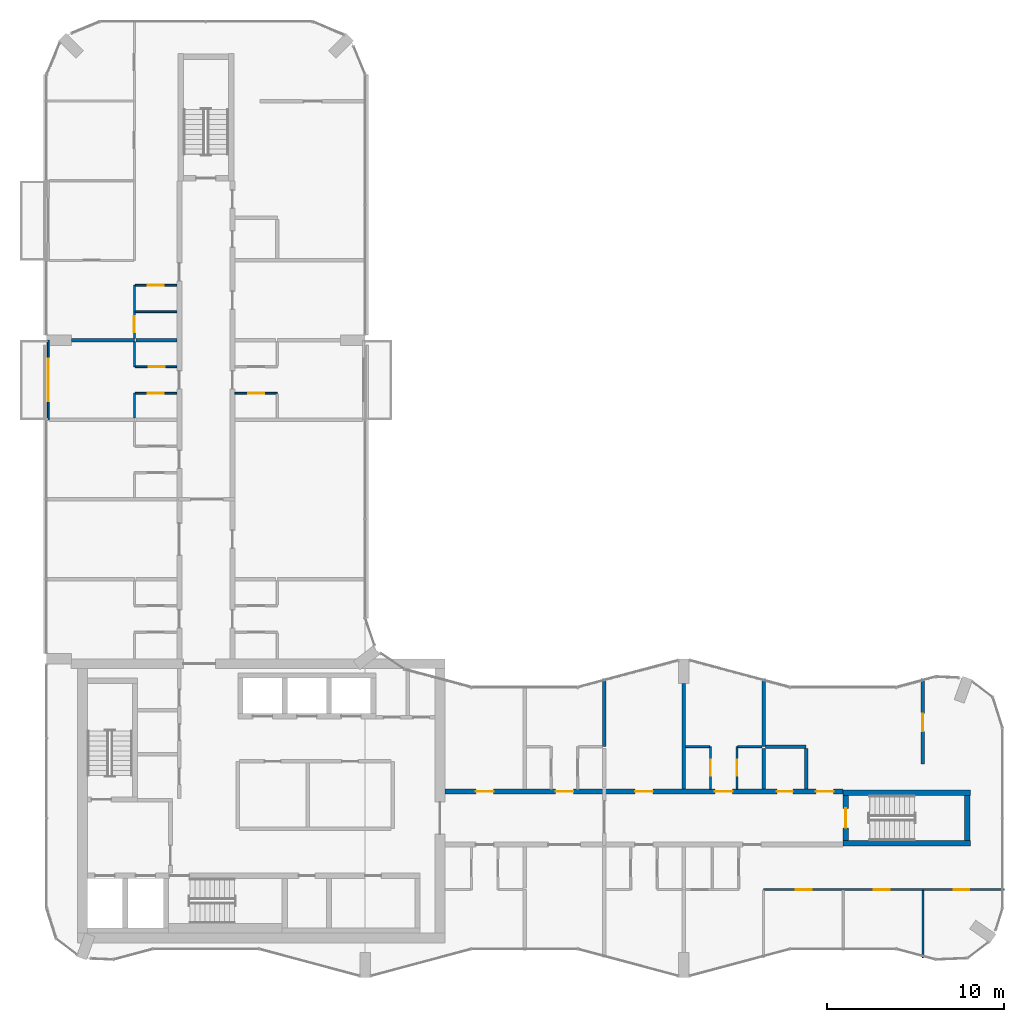
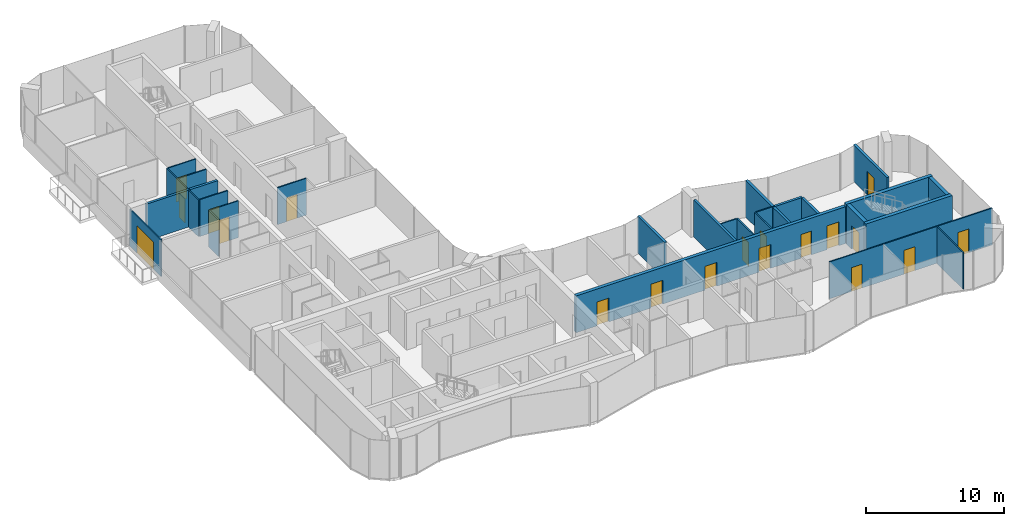
# One storey, part 12 of 15: 29 walls, 19 doors, 19 openings.
"""IFC4 building model written with IfcOpenShell, lengths in metres."""

from ifc_helpers import new_model, si_unit, direction, frame, frame_2d, origin, place, context, subcontext, project, spatial, rectangle, extrude, material, layer, layer_set, type_object, element, fill, save


model = new_model("IFC4")

# Units and contexts
model_context = context("Model", 3, precision=1e-05, world=origin(), true_north=direction((0.0, 1.0)))
body_context = subcontext(model_context, "Body", "Model", "MODEL_VIEW")
ifc_project = project(units=[si_unit("LENGTHUNIT", "METRE"), si_unit("AREAUNIT", "SQUARE_METRE"), si_unit("VOLUMEUNIT", "CUBIC_METRE"), si_unit("PLANEANGLEUNIT", "RADIAN"), si_unit("MASSUNIT", "GRAM", prefix="KILO")], contexts=[model_context])

# Site, building, storey
site_placement = place(None, origin())
site = spatial("IfcSite", under=ifc_project, at=site_placement, CompositionType="ELEMENT")
building_placement = place(site_placement, origin())
building = spatial("IfcBuilding", under=site, at=building_placement, Name="Plateau Cross Towers", CompositionType="ELEMENT")
storey_placement = place(building_placement, frame((0.0, 0.0, 194.39990234375)))
storey = spatial("IfcBuildingStorey", under=building, at=storey_placement, Name="L50", CompositionType="ELEMENT", Elevation=194.39990234375)

# Wall, opening, door
ifc_material_1 = material(Name="Aluminium framed glazing", Category="aluminium")
ifc_layer_1 = layer(ifc_material_1, 0.10009765625)
ifc_layer_set_1 = layer_set([ifc_layer_1], Name="Aluminium framed glazing")
wall_type_1 = type_object("IfcWallType", Name="Balcony screen wall 100", PredefinedType="STANDARD", material=ifc_layer_set_1)
wall_1_placement = place(storey_placement, frame((0.10009765625, 31.5, 0.0), z_axis=(0.0, 0.0, 1.0), x_axis=(0.0, 1.0, 0.0)))
wall_1 = element("IfcWall", 1, at=wall_1_placement, inside=storey, type_object=wall_type_1, Name="Balcony screen wall A-BAL-L50-01", PredefinedType="STANDARD", context=body_context, shape_type="SweptSolid", body=[
    extrude(rectangle(XDim=4.5, YDim=0.10009765625, at=frame_2d((2.25, 0.0))), origin(), (0.0, 0.0, 1.0), 3.25),
])
opening_1_placement = place(wall_1_placement, frame((1.050048828125, 0.0, 0.0)))
opening_1 = element("IfcOpeningElement", 2, at=opening_1_placement, cuts=wall_1, Name="Opening D-B24", PredefinedType="OPENING", context=body_context, shape_type="SweptSolid", body=[
    extrude(rectangle(XDim=2.39990234375, YDim=2.39990234375, at=frame_2d((1.199951171875, 1.199951171875))), frame((0.0, 0.06005859375, 0.0), z_axis=(0.0, -1.0, 0.0), x_axis=(1.0, 0.0, 0.0)), (0.0, 0.0, 1.0), 0.1201171875),
])
ifc_material_2 = material(Name="Aluminium frame, double glazing", Category="aluminium")
door_type_1 = type_object("IfcDoorType", Name="Balcony sliding door 2400", OperationType="NOTDEFINED", PredefinedType="DOOR", material=ifc_material_2)
door_1_placement = place(opening_1_placement, origin())
door_1 = element("IfcDoor", 3, at=door_1_placement, inside=storey, type_object=door_type_1, Name="Balcony door A-BAL-L50-01", OperationType="SINGLE_SWING_LEFT", OverallHeight=2.39990234375, OverallWidth=2.39990234375, PredefinedType="DOOR", context=body_context, shape_type="SweptSolid", body=[
    extrude(rectangle(XDim=2.39990234375, YDim=2.39990234375, at=frame_2d((1.199951171875, 1.199951171875))), frame((0.0, 0.02490234375, 0.0), z_axis=(0.0, -1.0, 0.0), x_axis=(1.0, 0.0, 0.0)), (0.0, 0.0, 1.0), 0.050048828125),
])
fill(opening_1, door_1)

# Wall, openings, doors
ifc_material_3 = material(Name="Concrete C60/75", Category="concrete")
ifc_layer_2 = layer(ifc_material_3, 0.27490234375)
ifc_layer_set_2 = layer_set([ifc_layer_2], Name="Concrete C60/75")
wall_type_2 = type_object("IfcWallType", Name="Corridor wall 275", PredefinedType="SHEAR", material=ifc_layer_set_2)
wall_2_placement = place(storey_placement, frame((22.5, 10.5, 0.0), z_axis=(0.0, 0.0, 1.0), x_axis=(1.0, 0.0, 0.0)))
wall_2 = element("IfcWall", 4, at=wall_2_placement, inside=storey, type_object=wall_type_2, Name="A-cw-S2@L50", PredefinedType="SHEAR", context=body_context, shape_type="SweptSolid", body=[
    extrude(rectangle(XDim=22.5, YDim=0.27490234375, at=frame_2d((11.25, 0.0))), origin(), (0.0, 0.0, 1.0), 3.25),
])
opening_2_placement = place(wall_2_placement, frame((1.75, 0.0, 0.0)))
opening_2 = element("IfcOpeningElement", 5, at=opening_2_placement, cuts=wall_2, Name="Opening 50-05", PredefinedType="OPENING", context=body_context, shape_type="SweptSolid", body=[
    extrude(rectangle(XDim=1.0, YDim=2.10009765625, at=frame_2d((0.5, 1.050048828125))), frame((0.0, 0.1474609375, 0.0), z_axis=(0.0, -1.0, 0.0), x_axis=(1.0, 0.0, 0.0)), (0.0, 0.0, 1.0), 0.294921875),
])
opening_3_placement = place(wall_2_placement, frame((6.25, 0.0, 0.0)))
opening_3 = element("IfcOpeningElement", 6, at=opening_3_placement, cuts=wall_2, Name="Opening 50-06", PredefinedType="OPENING", context=body_context, shape_type="SweptSolid", body=[
    extrude(rectangle(XDim=1.0, YDim=2.10009765625, at=frame_2d((0.5, 1.050048828125))), frame((0.0, 0.1474609375, 0.0), z_axis=(0.0, -1.0, 0.0), x_axis=(1.0, 0.0, 0.0)), (0.0, 0.0, 1.0), 0.294921875),
])
opening_4_placement = place(wall_2_placement, frame((10.75, 0.0, 0.0)))
opening_4 = element("IfcOpeningElement", 7, at=opening_4_placement, cuts=wall_2, Name="Opening 50-07", PredefinedType="OPENING", context=body_context, shape_type="SweptSolid", body=[
    extrude(rectangle(XDim=1.0, YDim=2.10009765625, at=frame_2d((0.5, 1.050048828125))), frame((0.0, 0.1474609375, 0.0), z_axis=(0.0, -1.0, 0.0), x_axis=(1.0, 0.0, 0.0)), (0.0, 0.0, 1.0), 0.294921875),
])
opening_5_placement = place(wall_2_placement, frame((15.25, 0.0, 0.0)))
opening_5 = element("IfcOpeningElement", 8, at=opening_5_placement, cuts=wall_2, Name="Opening 50-08", PredefinedType="OPENING", context=body_context, shape_type="SweptSolid", body=[
    extrude(rectangle(XDim=1.0, YDim=2.10009765625, at=frame_2d((0.5, 1.050048828125))), frame((0.0, 0.1474609375, 0.0), z_axis=(0.0, -1.0, 0.0), x_axis=(1.0, 0.0, 0.0)), (0.0, 0.0, 1.0), 0.294921875),
])
opening_6_placement = place(wall_2_placement, frame((18.75, 0.0, 0.0)))
opening_6 = element("IfcOpeningElement", 9, at=opening_6_placement, cuts=wall_2, Name="Opening 50-09", PredefinedType="OPENING", context=body_context, shape_type="SweptSolid", body=[
    extrude(rectangle(XDim=0.89990234375, YDim=2.10009765625, at=frame_2d((0.449951171875, 1.050048828125))), frame((0.0, 0.1474609375, 0.0), z_axis=(0.0, -1.0, 0.0), x_axis=(1.0, 0.0, 0.0)), (0.0, 0.0, 1.0), 0.294921875),
])
opening_7_placement = place(wall_2_placement, frame((20.949951171875, 0.0, 0.0)))
opening_7 = element("IfcOpeningElement", 10, at=opening_7_placement, cuts=wall_2, Name="Opening 50-10", PredefinedType="OPENING", context=body_context, shape_type="SweptSolid", body=[
    extrude(rectangle(XDim=1.0, YDim=2.10009765625, at=frame_2d((0.5, 1.050048828125))), frame((0.0, 0.1474609375, 0.0), z_axis=(0.0, -1.0, 0.0), x_axis=(1.0, 0.0, 0.0)), (0.0, 0.0, 1.0), 0.294921875),
])
ifc_material_4 = material(Name="Timber, fire-resisting leaf", Category="wood")
door_type_2 = type_object("IfcDoorType", Name="Flat entrance door 1000", OperationType="NOTDEFINED", PredefinedType="DOOR", material=ifc_material_4)
door_2_placement = place(opening_2_placement, origin())
door_2 = element("IfcDoor", 11, at=door_2_placement, inside=storey, type_object=door_type_2, Name="Door 50-05", OperationType="SINGLE_SWING_LEFT", OverallHeight=2.10009765625, OverallWidth=1.0, PredefinedType="DOOR", context=body_context, shape_type="SweptSolid", body=[
    extrude(rectangle(XDim=1.0, YDim=2.10009765625, at=frame_2d((0.5, 1.050048828125))), frame((0.0, 0.02490234375, 0.0), z_axis=(0.0, -1.0, 0.0), x_axis=(1.0, 0.0, 0.0)), (0.0, 0.0, 1.0), 0.050048828125),
])
fill(opening_2, door_2)
door_3_placement = place(opening_3_placement, origin())
door_3 = element("IfcDoor", 12, at=door_3_placement, inside=storey, type_object=door_type_2, Name="Door 50-06", OperationType="SINGLE_SWING_LEFT", OverallHeight=2.10009765625, OverallWidth=1.0, PredefinedType="DOOR", context=body_context, shape_type="SweptSolid", body=[
    extrude(rectangle(XDim=1.0, YDim=2.10009765625, at=frame_2d((0.5, 1.050048828125))), frame((0.0, 0.02490234375, 0.0), z_axis=(0.0, -1.0, 0.0), x_axis=(1.0, 0.0, 0.0)), (0.0, 0.0, 1.0), 0.050048828125),
])
fill(opening_3, door_3)
door_4_placement = place(opening_4_placement, origin())
door_4 = element("IfcDoor", 13, at=door_4_placement, inside=storey, type_object=door_type_2, Name="Door 50-07", OperationType="SINGLE_SWING_LEFT", OverallHeight=2.10009765625, OverallWidth=1.0, PredefinedType="DOOR", context=body_context, shape_type="SweptSolid", body=[
    extrude(rectangle(XDim=1.0, YDim=2.10009765625, at=frame_2d((0.5, 1.050048828125))), frame((0.0, 0.02490234375, 0.0), z_axis=(0.0, -1.0, 0.0), x_axis=(1.0, 0.0, 0.0)), (0.0, 0.0, 1.0), 0.050048828125),
])
fill(opening_4, door_4)
door_5_placement = place(opening_5_placement, origin())
door_5 = element("IfcDoor", 14, at=door_5_placement, inside=storey, type_object=door_type_2, Name="Door 50-08", OperationType="SINGLE_SWING_RIGHT", OverallHeight=2.10009765625, OverallWidth=1.0, PredefinedType="DOOR", context=body_context, shape_type="SweptSolid", body=[
    extrude(rectangle(XDim=1.0, YDim=2.10009765625, at=frame_2d((0.5, 1.050048828125))), frame((0.0, 0.02490234375, 0.0), z_axis=(0.0, -1.0, 0.0), x_axis=(1.0, 0.0, 0.0)), (0.0, 0.0, 1.0), 0.050048828125),
])
fill(opening_5, door_5)
door_6_placement = place(opening_7_placement, origin())
door_6 = element("IfcDoor", 15, at=door_6_placement, inside=storey, type_object=door_type_2, Name="Door 50-10", OperationType="SINGLE_SWING_RIGHT", OverallHeight=2.10009765625, OverallWidth=1.0, PredefinedType="DOOR", context=body_context, shape_type="SweptSolid", body=[
    extrude(rectangle(XDim=1.0, YDim=2.10009765625, at=frame_2d((0.5, 1.050048828125))), frame((0.0, 0.02490234375, 0.0), z_axis=(0.0, -1.0, 0.0), x_axis=(1.0, 0.0, 0.0)), (0.0, 0.0, 1.0), 0.050048828125),
])
fill(opening_7, door_6)
door_type_3 = type_object("IfcDoorType", Name="Flat floor service door 900", OperationType="NOTDEFINED", PredefinedType="DOOR", material=ifc_material_4)
door_7_placement = place(opening_6_placement, origin())
door_7 = element("IfcDoor", 16, at=door_7_placement, inside=storey, type_object=door_type_3, Name="Door 50-09", OperationType="SINGLE_SWING_RIGHT", OverallHeight=2.10009765625, OverallWidth=0.89990234375, PredefinedType="DOOR", context=body_context, shape_type="SweptSolid", body=[
    extrude(rectangle(XDim=0.89990234375, YDim=2.10009765625, at=frame_2d((0.449951171875, 1.050048828125))), frame((0.0, 0.02490234375, 0.0), z_axis=(0.0, -1.0, 0.0), x_axis=(1.0, 0.0, 0.0)), (0.0, 0.0, 1.0), 0.050048828125),
])
fill(opening_6, door_7)

ifc_material_5 = material(Name="Gypsum board on steel studs", Category="steel")
ifc_layer_3 = layer(ifc_material_5, 0.10009765625)
ifc_layer_set_3 = layer_set([ifc_layer_3], Name="Gypsum board on steel studs")
wall_type_3 = type_object("IfcWallType", Name="Flat partition 100", PredefinedType="PARTITIONING", material=ifc_layer_set_3)
wall_3_placement = place(storey_placement, frame((54.080078125, 4.96240234375, 0.0), z_axis=(0.0, 0.0, 1.0), x_axis=(-1.0, 0.0, 0.0)))
wall_3 = element("IfcWall", 17, at=wall_3_placement, inside=storey, type_object=wall_type_3, Name="Partition wall", PredefinedType="PARTITIONING", context=body_context, shape_type="SweptSolid", body=[
    extrude(rectangle(XDim=13.580078125, YDim=0.10009765625, at=frame_2d((6.7900390625, 0.0))), origin(), (0.0, 0.0, 1.0), 3.25),
])
opening_8_placement = place(wall_3_placement, frame((10.85009765625, 0.0, 0.0)))
opening_8 = element("IfcOpeningElement", 18, at=opening_8_placement, cuts=wall_3, Name="Opening 50-32", PredefinedType="OPENING", context=body_context, shape_type="SweptSolid", body=[
    extrude(rectangle(XDim=0.89990234375, YDim=2.10009765625, at=frame_2d((0.449951171875, 1.050048828125))), frame((0.0, 0.06005859375, 0.0), z_axis=(0.0, -1.0, 0.0), x_axis=(1.0, 0.0, 0.0)), (0.0, 0.0, 1.0), 0.1201171875),
])
opening_9_placement = place(wall_3_placement, frame((6.449951171875, 0.0, 0.0)))
opening_9 = element("IfcOpeningElement", 19, at=opening_9_placement, cuts=wall_3, Name="Opening 50-33", PredefinedType="OPENING", context=body_context, shape_type="SweptSolid", body=[
    extrude(rectangle(XDim=0.89990234375, YDim=2.10009765625, at=frame_2d((0.449951171875, 1.050048828125))), frame((0.0, 0.06005859375, 0.0), z_axis=(0.0, -1.0, 0.0), x_axis=(1.0, 0.0, 0.0)), (0.0, 0.0, 1.0), 0.1201171875),
])
opening_10_placement = place(wall_3_placement, frame((1.949951171875, 0.0, 0.0)))
opening_10 = element("IfcOpeningElement", 20, at=opening_10_placement, cuts=wall_3, Name="Opening 50-34", PredefinedType="OPENING", context=body_context, shape_type="SweptSolid", body=[
    extrude(rectangle(XDim=0.89990234375, YDim=2.10009765625, at=frame_2d((0.449951171875, 1.050048828125))), frame((0.0, 0.06005859375, 0.0), z_axis=(0.0, -1.0, 0.0), x_axis=(1.0, 0.0, 0.0)), (0.0, 0.0, 1.0), 0.1201171875),
])
ifc_material_6 = material(Name="Timber leaf", Category="wood")
door_type_4 = type_object("IfcDoorType", Name="Flat room door 900", OperationType="NOTDEFINED", PredefinedType="DOOR", material=ifc_material_6)
door_8_placement = place(opening_8_placement, origin())
door_8 = element("IfcDoor", 21, at=door_8_placement, inside=storey, type_object=door_type_4, Name="Door 50-32", OperationType="SINGLE_SWING_RIGHT", OverallHeight=2.10009765625, OverallWidth=0.89990234375, PredefinedType="DOOR", context=body_context, shape_type="SweptSolid", body=[
    extrude(rectangle(XDim=0.89990234375, YDim=2.10009765625, at=frame_2d((0.449951171875, 1.050048828125))), frame((0.0, 0.02490234375, 0.0), z_axis=(0.0, -1.0, 0.0), x_axis=(1.0, 0.0, 0.0)), (0.0, 0.0, 1.0), 0.050048828125),
])
fill(opening_8, door_8)
door_9_placement = place(opening_9_placement, origin())
door_9 = element("IfcDoor", 22, at=door_9_placement, inside=storey, type_object=door_type_4, Name="Door 50-33", OperationType="SINGLE_SWING_RIGHT", OverallHeight=2.10009765625, OverallWidth=0.89990234375, PredefinedType="DOOR", context=body_context, shape_type="SweptSolid", body=[
    extrude(rectangle(XDim=0.89990234375, YDim=2.10009765625, at=frame_2d((0.449951171875, 1.050048828125))), frame((0.0, 0.02490234375, 0.0), z_axis=(0.0, -1.0, 0.0), x_axis=(1.0, 0.0, 0.0)), (0.0, 0.0, 1.0), 0.050048828125),
])
fill(opening_9, door_9)
door_10_placement = place(opening_10_placement, origin())
door_10 = element("IfcDoor", 23, at=door_10_placement, inside=storey, type_object=door_type_4, Name="Door 50-34", OperationType="SINGLE_SWING_LEFT", OverallHeight=2.10009765625, OverallWidth=0.89990234375, PredefinedType="DOOR", context=body_context, shape_type="SweptSolid", body=[
    extrude(rectangle(XDim=0.89990234375, YDim=2.10009765625, at=frame_2d((0.449951171875, 1.050048828125))), frame((0.0, 0.02490234375, 0.0), z_axis=(0.0, -1.0, 0.0), x_axis=(1.0, 0.0, 0.0)), (0.0, 0.0, 1.0), 0.050048828125),
])
fill(opening_10, door_10)

# Walls
for number, where, z_axis, x_axis, name in (
    (24, (37.449951171875, 13.03759765625, 0.0), (0.0, 0.0, 1.0), (-1.0, 0.0, 0.0), "Partition wall"),
    (25, (40.39990234375, 13.03759765625, 0.0), (0.0, 0.0, 1.0), (-1.0, 0.0, 0.0), "Partition wall"),
):
    element("IfcWall", number, at=place(storey_placement, frame(where, z_axis=z_axis, x_axis=x_axis)), inside=storey, type_object=wall_type_3, Name=name, PredefinedType="PARTITIONING", context=body_context, shape_type="SweptSolid", body=[
        extrude(rectangle(XDim=1.349853515625, YDim=0.10009765625, at=frame_2d((0.6748046875, 0.0))), origin(), (0.0, 0.0, 1.0), 3.25),
    ])

# Wall, opening, door
wall_4_placement = place(storey_placement, frame((7.362548828125, 33.0, 0.0), z_axis=(0.0, 0.0, 1.0), x_axis=(-1.0, 0.0, 0.0)))
wall_4 = element("IfcWall", 26, at=wall_4_placement, inside=storey, type_object=wall_type_3, Name="Partition wall", PredefinedType="PARTITIONING", context=body_context, shape_type="SweptSolid", body=[
    extrude(rectangle(XDim=2.35009765625, YDim=0.10009765625, at=frame_2d((1.175048828125, 0.0))), origin(), (0.0, 0.0, 1.0), 3.25),
])
opening_11_placement = place(wall_4_placement, frame((0.75, 0.0, 0.0)))
opening_11 = element("IfcOpeningElement", 27, at=opening_11_placement, cuts=wall_4, Name="Opening 50-43", PredefinedType="OPENING", context=body_context, shape_type="SweptSolid", body=[
    extrude(rectangle(XDim=0.89990234375, YDim=2.10009765625, at=frame_2d((0.449951171875, 1.050048828125))), frame((0.0, 0.06005859375, 0.0), z_axis=(0.0, -1.0, 0.0), x_axis=(1.0, 0.0, 0.0)), (0.0, 0.0, 1.0), 0.1201171875),
])
door_11_placement = place(opening_11_placement, origin())
door_11 = element("IfcDoor", 28, at=door_11_placement, inside=storey, type_object=door_type_4, Name="Door 50-43", OperationType="SINGLE_SWING_RIGHT", OverallHeight=2.10009765625, OverallWidth=0.89990234375, PredefinedType="DOOR", context=body_context, shape_type="SweptSolid", body=[
    extrude(rectangle(XDim=0.89990234375, YDim=2.10009765625, at=frame_2d((0.449951171875, 1.050048828125))), frame((0.0, 0.02490234375, 0.0), z_axis=(0.0, -1.0, 0.0), x_axis=(1.0, 0.0, 0.0)), (0.0, 0.0, 1.0), 0.050048828125),
])
fill(opening_11, door_11)

wall_5_placement = place(storey_placement, frame((13.03759765625, 33.0, 0.0), z_axis=(0.0, 0.0, 1.0), x_axis=(-1.0, 0.0, 0.0)))
wall_5 = element("IfcWall", 29, at=wall_5_placement, inside=storey, type_object=wall_type_3, Name="Partition wall", PredefinedType="PARTITIONING", context=body_context, shape_type="SweptSolid", body=[
    extrude(rectangle(XDim=2.400146484375, YDim=0.10009765625, at=frame_2d((1.2001953125, 0.0))), origin(), (0.0, 0.0, 1.0), 3.25),
])
opening_12_placement = place(wall_5_placement, frame((0.75, 0.0, 0.0)))
opening_12 = element("IfcOpeningElement", 30, at=opening_12_placement, cuts=wall_5, Name="Opening 50-52", PredefinedType="OPENING", context=body_context, shape_type="SweptSolid", body=[
    extrude(rectangle(XDim=0.89990234375, YDim=2.10009765625, at=frame_2d((0.449951171875, 1.050048828125))), frame((0.0, 0.06005859375, 0.0), z_axis=(0.0, -1.0, 0.0), x_axis=(1.0, 0.0, 0.0)), (0.0, 0.0, 1.0), 0.1201171875),
])
door_12_placement = place(opening_12_placement, origin())
door_12 = element("IfcDoor", 31, at=door_12_placement, inside=storey, type_object=door_type_4, Name="Door 50-52", OperationType="SINGLE_SWING_LEFT", OverallHeight=2.10009765625, OverallWidth=0.89990234375, PredefinedType="DOOR", context=body_context, shape_type="SweptSolid", body=[
    extrude(rectangle(XDim=0.89990234375, YDim=2.10009765625, at=frame_2d((0.449951171875, 1.050048828125))), frame((0.0, 0.02490234375, 0.0), z_axis=(0.0, -1.0, 0.0), x_axis=(1.0, 0.0, 0.0)), (0.0, 0.0, 1.0), 0.050048828125),
])
fill(opening_12, door_12)

wall_6_placement = place(storey_placement, frame((5.012451171875, 34.5, 0.0), z_axis=(0.0, 0.0, 1.0), x_axis=(1.0, 0.0, 0.0)))
wall_6 = element("IfcWall", 32, at=wall_6_placement, inside=storey, type_object=wall_type_3, Name="Partition wall", PredefinedType="PARTITIONING", context=body_context, shape_type="SweptSolid", body=[
    extrude(rectangle(XDim=2.35009765625, YDim=0.10009765625, at=frame_2d((1.175048828125, 0.0))), origin(), (0.0, 0.0, 1.0), 3.25),
])
opening_13_placement = place(wall_6_placement, frame((0.75, 0.0, 0.0)))
opening_13 = element("IfcOpeningElement", 33, at=opening_13_placement, cuts=wall_6, Name="Opening 50-44", PredefinedType="OPENING", context=body_context, shape_type="SweptSolid", body=[
    extrude(rectangle(XDim=0.89990234375, YDim=2.10009765625, at=frame_2d((0.449951171875, 1.050048828125))), frame((0.0, 0.06005859375, 0.0), z_axis=(0.0, -1.0, 0.0), x_axis=(1.0, 0.0, 0.0)), (0.0, 0.0, 1.0), 0.1201171875),
])
door_13_placement = place(opening_13_placement, origin())
door_13 = element("IfcDoor", 34, at=door_13_placement, inside=storey, type_object=door_type_4, Name="Door 50-44", OperationType="SINGLE_SWING_RIGHT", OverallHeight=2.10009765625, OverallWidth=0.89990234375, PredefinedType="DOOR", context=body_context, shape_type="SweptSolid", body=[
    extrude(rectangle(XDim=0.89990234375, YDim=2.10009765625, at=frame_2d((0.449951171875, 1.050048828125))), frame((0.0, 0.02490234375, 0.0), z_axis=(0.0, -1.0, 0.0), x_axis=(1.0, 0.0, 0.0)), (0.0, 0.0, 1.0), 0.050048828125),
])
fill(opening_13, door_13)

# Wall
wall_7_placement = place(storey_placement, frame((7.362548828125, 37.60009765625, 0.0), z_axis=(0.0, 0.0, 1.0), x_axis=(-1.0, 0.0, 0.0)))
element("IfcWall", 35, at=wall_7_placement, inside=storey, type_object=wall_type_3, Name="Partition wall", PredefinedType="PARTITIONING", context=body_context, shape_type="SweptSolid", body=[
    extrude(rectangle(XDim=2.35009765625, YDim=0.10009765625, at=frame_2d((1.175048828125, 0.0))), origin(), (0.0, 0.0, 1.0), 3.25),
])

# Wall, opening, door
wall_8_placement = place(storey_placement, frame((7.362548828125, 39.10009765625, 0.0), z_axis=(0.0, 0.0, 1.0), x_axis=(-1.0, 0.0, 0.0)))
wall_8 = element("IfcWall", 36, at=wall_8_placement, inside=storey, type_object=wall_type_3, Name="Partition wall", PredefinedType="PARTITIONING", context=body_context, shape_type="SweptSolid", body=[
    extrude(rectangle(XDim=2.35009765625, YDim=0.10009765625, at=frame_2d((1.175048828125, 0.0))), origin(), (0.0, 0.0, 1.0), 3.25),
])
opening_14_placement = place(wall_8_placement, frame((0.75, 0.0, 0.0)))
opening_14 = element("IfcOpeningElement", 37, at=opening_14_placement, cuts=wall_8, Name="Opening 50-46", PredefinedType="OPENING", context=body_context, shape_type="SweptSolid", body=[
    extrude(rectangle(XDim=0.89990234375, YDim=2.10009765625, at=frame_2d((0.449951171875, 1.050048828125))), frame((0.0, 0.06005859375, 0.0), z_axis=(0.0, -1.0, 0.0), x_axis=(1.0, 0.0, 0.0)), (0.0, 0.0, 1.0), 0.1201171875),
])
door_14_placement = place(opening_14_placement, origin())
door_14 = element("IfcDoor", 38, at=door_14_placement, inside=storey, type_object=door_type_4, Name="Door 50-46", OperationType="SINGLE_SWING_RIGHT", OverallHeight=2.10009765625, OverallWidth=0.89990234375, PredefinedType="DOOR", context=body_context, shape_type="SweptSolid", body=[
    extrude(rectangle(XDim=0.89990234375, YDim=2.10009765625, at=frame_2d((0.449951171875, 1.050048828125))), frame((0.0, 0.02490234375, 0.0), z_axis=(0.0, -1.0, 0.0), x_axis=(1.0, 0.0, 0.0)), (0.0, 0.0, 1.0), 0.050048828125),
])
fill(opening_14, door_14)

# Walls
for number, where, z_axis, x_axis, name in (
    (39, (4.96240234375, 33.0, 0.0), (0.0, 0.0, 1.0), (0.0, -1.0, 0.0), "Partition wall"),
    (40, (4.96240234375, 35.89990234375, 0.0), (0.0, 0.0, 1.0), (0.0, -1.0, 0.0), "Partition wall"),
):
    element("IfcWall", number, at=place(storey_placement, frame(where, z_axis=z_axis, x_axis=x_axis)), inside=storey, type_object=wall_type_3, Name=name, PredefinedType="PARTITIONING", context=body_context, shape_type="SweptSolid", body=[
        extrude(rectangle(XDim=1.39990234375, YDim=0.10009765625, at=frame_2d((0.699951171875, 0.0))), origin(), (0.0, 0.0, 1.0), 3.25),
    ])

# Wall, opening, door
wall_9_placement = place(storey_placement, frame((4.96240234375, 39.10009765625, 0.0), z_axis=(0.0, 0.0, 1.0), x_axis=(0.0, -1.0, 0.0)))
wall_9 = element("IfcWall", 41, at=wall_9_placement, inside=storey, type_object=wall_type_3, Name="Partition wall", PredefinedType="PARTITIONING", context=body_context, shape_type="SweptSolid", body=[
    extrude(rectangle(XDim=3.0, YDim=0.10009765625, at=frame_2d((1.5, 0.0))), origin(), (0.0, 0.0, 1.0), 3.25),
])
opening_15_placement = place(wall_9_placement, frame((1.75, 0.0, 0.0)))
opening_15 = element("IfcOpeningElement", 42, at=opening_15_placement, cuts=wall_9, Name="Opening 50-45", PredefinedType="OPENING", context=body_context, shape_type="SweptSolid", body=[
    extrude(rectangle(XDim=0.89990234375, YDim=2.10009765625, at=frame_2d((0.449951171875, 1.050048828125))), frame((0.0, 0.06005859375, 0.0), z_axis=(0.0, -1.0, 0.0), x_axis=(1.0, 0.0, 0.0)), (0.0, 0.0, 1.0), 0.1201171875),
])
door_15_placement = place(opening_15_placement, origin())
door_15 = element("IfcDoor", 43, at=door_15_placement, inside=storey, type_object=door_type_4, Name="Door 50-45", OperationType="SINGLE_SWING_RIGHT", OverallHeight=2.10009765625, OverallWidth=0.89990234375, PredefinedType="DOOR", context=body_context, shape_type="SweptSolid", body=[
    extrude(rectangle(XDim=0.89990234375, YDim=2.10009765625, at=frame_2d((0.449951171875, 1.050048828125))), frame((0.0, 0.02490234375, 0.0), z_axis=(0.0, -1.0, 0.0), x_axis=(1.0, 0.0, 0.0)), (0.0, 0.0, 1.0), 0.050048828125),
])
fill(opening_15, door_15)

wall_10_placement = place(storey_placement, frame((37.5, 10.637451171875, 0.0), z_axis=(0.0, 0.0, 1.0), x_axis=(0.0, 1.0, 0.0)))
wall_10 = element("IfcWall", 44, at=wall_10_placement, inside=storey, type_object=wall_type_3, Name="Partition wall", PredefinedType="PARTITIONING", context=body_context, shape_type="SweptSolid", body=[
    extrude(rectangle(XDim=2.400146484375, YDim=0.10009765625, at=frame_2d((1.2001953125, 0.0))), origin(), (0.0, 0.0, 1.0), 3.25),
])
opening_16_placement = place(wall_10_placement, frame((0.75, 0.0, 0.0)))
opening_16 = element("IfcOpeningElement", 45, at=opening_16_placement, cuts=wall_10, Name="Opening 50-37", PredefinedType="OPENING", context=body_context, shape_type="SweptSolid", body=[
    extrude(rectangle(XDim=0.89990234375, YDim=2.10009765625, at=frame_2d((0.449951171875, 1.050048828125))), frame((0.0, 0.06005859375, 0.0), z_axis=(0.0, -1.0, 0.0), x_axis=(1.0, 0.0, 0.0)), (0.0, 0.0, 1.0), 0.1201171875),
])
door_16_placement = place(opening_16_placement, origin())
door_16 = element("IfcDoor", 46, at=door_16_placement, inside=storey, type_object=door_type_4, Name="Door 50-37", OperationType="SINGLE_SWING_LEFT", OverallHeight=2.10009765625, OverallWidth=0.89990234375, PredefinedType="DOOR", context=body_context, shape_type="SweptSolid", body=[
    extrude(rectangle(XDim=0.89990234375, YDim=2.10009765625, at=frame_2d((0.449951171875, 1.050048828125))), frame((0.0, 0.02490234375, 0.0), z_axis=(0.0, -1.0, 0.0), x_axis=(1.0, 0.0, 0.0)), (0.0, 0.0, 1.0), 0.050048828125),
])
fill(opening_16, door_16)

wall_11_placement = place(storey_placement, frame((39.0, 13.03759765625, 0.0), z_axis=(0.0, 0.0, 1.0), x_axis=(0.0, -1.0, 0.0)))
wall_11 = element("IfcWall", 47, at=wall_11_placement, inside=storey, type_object=wall_type_3, Name="Partition wall", PredefinedType="PARTITIONING", context=body_context, shape_type="SweptSolid", body=[
    extrude(rectangle(XDim=2.400146484375, YDim=0.10009765625, at=frame_2d((1.2001953125, 0.0))), origin(), (0.0, 0.0, 1.0), 3.25),
])
opening_17_placement = place(wall_11_placement, frame((0.75, 0.0, 0.0)))
opening_17 = element("IfcOpeningElement", 48, at=opening_17_placement, cuts=wall_11, Name="Opening 50-38", PredefinedType="OPENING", context=body_context, shape_type="SweptSolid", body=[
    extrude(rectangle(XDim=0.89990234375, YDim=2.10009765625, at=frame_2d((0.449951171875, 1.050048828125))), frame((0.0, 0.06005859375, 0.0), z_axis=(0.0, -1.0, 0.0), x_axis=(1.0, 0.0, 0.0)), (0.0, 0.0, 1.0), 0.1201171875),
])
door_17_placement = place(opening_17_placement, origin())
door_17 = element("IfcDoor", 49, at=door_17_placement, inside=storey, type_object=door_type_4, Name="Door 50-38", OperationType="SINGLE_SWING_LEFT", OverallHeight=2.10009765625, OverallWidth=0.89990234375, PredefinedType="DOOR", context=body_context, shape_type="SweptSolid", body=[
    extrude(rectangle(XDim=0.89990234375, YDim=2.10009765625, at=frame_2d((0.449951171875, 1.050048828125))), frame((0.0, 0.02490234375, 0.0), z_axis=(0.0, -1.0, 0.0), x_axis=(1.0, 0.0, 0.0)), (0.0, 0.0, 1.0), 0.050048828125),
])
fill(opening_17, door_17)

# Walls
wall_12_placement = place(storey_placement, frame((49.5, 1.122314453125, 0.0), z_axis=(0.0, 0.0, 1.0), x_axis=(0.0, 1.0, 0.0)))
element("IfcWall", 50, at=wall_12_placement, inside=storey, type_object=wall_type_3, Name="Partition wall", PredefinedType="PARTITIONING", context=body_context, shape_type="SweptSolid", body=[
    extrude(rectangle(XDim=3.790283203125, YDim=0.10009765625, at=frame_2d((1.89501953125, 0.0))), origin(), (0.0, 0.0, 1.0), 3.25),
])
ifc_material_7 = material(Name="Gypsum board on steel studs, two layers each side", Category="steel")
ifc_layer_4 = layer(ifc_material_7, 0.199951171875)
ifc_layer_set_4 = layer_set([ifc_layer_4], Name="Gypsum board on steel studs, two layers each side")
wall_type_4 = type_object("IfcWallType", Name="Flat party wall 200", PredefinedType="PARTITIONING", material=ifc_layer_set_4)
wall_13_placement = place(storey_placement, frame((42.89990234375, 13.03759765625, 0.0), z_axis=(0.0, 0.0, 1.0), x_axis=(-1.0, 0.0, 0.0)))
element("IfcWall", 51, at=wall_13_placement, inside=storey, type_object=wall_type_4, Name="Party wall", PredefinedType="PARTITIONING", context=body_context, shape_type="SweptSolid", body=[
    extrude(rectangle(XDim=2.2998046875, YDim=0.199951171875, at=frame_2d((1.14990234375, 0.0))), origin(), (0.0, 0.0, 1.0), 3.25),
])
wall_14_placement = place(storey_placement, frame((7.362548828125, 36.0, 0.0), z_axis=(0.0, 0.0, 1.0), x_axis=(-1.0, 0.0, 0.0)))
element("IfcWall", 52, at=wall_14_placement, inside=storey, type_object=wall_type_4, Name="Party wall", PredefinedType="PARTITIONING", context=body_context, shape_type="SweptSolid", body=[
    extrude(rectangle(XDim=2.300048828125, YDim=0.199951171875, at=frame_2d((1.14990234375, 0.0))), origin(), (0.0, 0.0, 1.0), 3.25),
])
wall_15_placement = place(storey_placement, frame((1.39990234375, 36.0, 0.0), z_axis=(0.0, 0.0, 1.0), x_axis=(1.0, 0.0, 0.0)))
element("IfcWall", 53, at=wall_15_placement, inside=storey, type_object=wall_type_4, Name="Party wall", PredefinedType="PARTITIONING", context=body_context, shape_type="SweptSolid", body=[
    extrude(rectangle(XDim=3.5625, YDim=0.199951171875, at=frame_2d((1.78125, 0.0))), origin(), (0.0, 0.0, 1.0), 3.25),
])
wall_16_placement = place(storey_placement, frame((31.5, 16.877685546875, 0.0), z_axis=(0.0, 0.0, 1.0), x_axis=(0.0, -1.0, 0.0)))
element("IfcWall", 54, at=wall_16_placement, inside=storey, type_object=wall_type_4, Name="Party wall", PredefinedType="PARTITIONING", context=body_context, shape_type="SweptSolid", body=[
    extrude(rectangle(XDim=3.840087890625, YDim=0.199951171875, at=frame_2d((1.919921875, 0.0))), origin(), (0.0, 0.0, 1.0), 3.25),
])
wall_17_placement = place(storey_placement, frame((36.0, 10.637451171875, 0.0), z_axis=(0.0, 0.0, 1.0), x_axis=(0.0, 1.0, 0.0)))
element("IfcWall", 55, at=wall_17_placement, inside=storey, type_object=wall_type_4, Name="Party wall", PredefinedType="PARTITIONING", context=body_context, shape_type="SweptSolid", body=[
    extrude(rectangle(XDim=5.962646484375, YDim=0.199951171875, at=frame_2d((2.9814453125, 0.0))), origin(), (0.0, 0.0, 1.0), 3.25),
])
wall_18_placement = place(storey_placement, frame((40.5, 16.877685546875, 0.0), z_axis=(0.0, 0.0, 1.0), x_axis=(0.0, -1.0, 0.0)))
element("IfcWall", 56, at=wall_18_placement, inside=storey, type_object=wall_type_4, Name="Party wall", PredefinedType="PARTITIONING", context=body_context, shape_type="SweptSolid", body=[
    extrude(rectangle(XDim=3.840087890625, YDim=0.199951171875, at=frame_2d((1.919921875, 0.0))), origin(), (0.0, 0.0, 1.0), 3.25),
])
for number, where, z_axis, x_axis, name in (
    (57, (40.5, 10.637451171875, 0.0), (0.0, 0.0, 1.0), (0.0, 1.0, 0.0), "Party wall"),
    (58, (42.89990234375, 10.637451171875, 0.0), (0.0, 0.0, 1.0), (0.0, 1.0, 0.0), "Party wall"),
):
    element("IfcWall", number, at=place(storey_placement, frame(where, z_axis=z_axis, x_axis=x_axis)), inside=storey, type_object=wall_type_4, Name=name, PredefinedType="PARTITIONING", context=body_context, shape_type="SweptSolid", body=[
        extrude(rectangle(XDim=2.300048828125, YDim=0.199951171875, at=frame_2d((1.14990234375, 0.0))), origin(), (0.0, 0.0, 1.0), 3.25),
    ])

# Wall, opening, door
wall_19_placement = place(storey_placement, frame((49.5, 12.050048828125, 0.0), z_axis=(0.0, 0.0, 1.0), x_axis=(0.0, 1.0, 0.0)))
wall_19 = element("IfcWall", 59, at=wall_19_placement, inside=storey, type_object=wall_type_4, Name="Party wall", PredefinedType="PARTITIONING", context=body_context, shape_type="SweptSolid", body=[
    extrude(rectangle(XDim=4.82763671875, YDim=0.199951171875, at=frame_2d((2.413818359375, 0.0))), origin(), (0.0, 0.0, 1.0), 3.25),
])
opening_18_placement = place(wall_19_placement, frame((1.85009765625, 0.0, 0.0)))
opening_18 = element("IfcOpeningElement", 60, at=opening_18_placement, cuts=wall_19, Name="Opening 50-24", PredefinedType="OPENING", context=body_context, shape_type="SweptSolid", body=[
    extrude(rectangle(XDim=1.0, YDim=2.10009765625, at=frame_2d((0.5, 1.050048828125))), frame((0.0, 0.10986328125, 0.0), z_axis=(0.0, -1.0, 0.0), x_axis=(1.0, 0.0, 0.0)), (0.0, 0.0, 1.0), 0.219970703125),
])
door_18_placement = place(opening_18_placement, origin())
door_18 = element("IfcDoor", 61, at=door_18_placement, inside=storey, type_object=door_type_2, Name="Door 50-24", OperationType="SINGLE_SWING_LEFT", OverallHeight=2.10009765625, OverallWidth=1.0, PredefinedType="DOOR", context=body_context, shape_type="SweptSolid", body=[
    extrude(rectangle(XDim=1.0, YDim=2.10009765625, at=frame_2d((0.5, 1.050048828125))), frame((0.0, 0.02490234375, 0.0), z_axis=(0.0, -1.0, 0.0), x_axis=(1.0, 0.0, 0.0)), (0.0, 0.0, 1.0), 0.050048828125),
])
fill(opening_18, door_18)

ifc_layer_5 = layer(ifc_material_3, 0.300048828125)
ifc_layer_set_5 = layer_set([ifc_layer_5], Name="Concrete C60/75")
wall_type_5 = type_object("IfcWallType", Name="Stair tower wall 300", PredefinedType="SHEAR", material=ifc_layer_set_5)
wall_20_placement = place(storey_placement, frame((45.14990234375, 7.72509765625, 0.0), z_axis=(0.0, 0.0, 1.0), x_axis=(0.0, 1.0, 0.0)))
wall_20 = element("IfcWall", 62, at=wall_20_placement, inside=storey, type_object=wall_type_5, Name="A-end-E-W@L50", PredefinedType="SHEAR", context=body_context, shape_type="SweptSolid", body=[
    extrude(rectangle(XDim=2.5498046875, YDim=0.300048828125, at=frame_2d((1.27490234375, 0.0))), origin(), (0.0, 0.0, 1.0), 3.5),
])
opening_19_placement = place(wall_20_placement, frame((0.72509765625, 0.0, 0.0)))
opening_19 = element("IfcOpeningElement", 63, at=opening_19_placement, cuts=wall_20, Name="Opening SD", PredefinedType="OPENING", context=body_context, shape_type="SweptSolid", body=[
    extrude(rectangle(XDim=1.10009765625, YDim=2.10009765625, at=frame_2d((0.550048828125, 1.050048828125))), frame((0.0, 0.159912109375, 0.0), z_axis=(0.0, -1.0, 0.0), x_axis=(1.0, 0.0, 0.0)), (0.0, 0.0, 1.0), 0.320068359375),
])
ifc_material_8 = material(Name="Steel, fire-resisting leaf", Category="steel")
door_type_5 = type_object("IfcDoorType", Name="Stair door 1100", OperationType="NOTDEFINED", PredefinedType="DOOR", material=ifc_material_8)
door_19_placement = place(opening_19_placement, origin())
door_19 = element("IfcDoor", 64, at=door_19_placement, inside=storey, type_object=door_type_5, Name="Stair door SD", OperationType="SINGLE_SWING_LEFT", OverallHeight=2.10009765625, OverallWidth=1.10009765625, PredefinedType="DOOR", context=body_context, shape_type="SweptSolid", body=[
    extrude(rectangle(XDim=1.10009765625, YDim=2.10009765625, at=frame_2d((0.550048828125, 1.050048828125))), frame((0.0, 0.02490234375, 0.0), z_axis=(0.0, -1.0, 0.0), x_axis=(1.0, 0.0, 0.0)), (0.0, 0.0, 1.0), 0.050048828125),
])
fill(opening_19, door_19)

# Walls
wall_21_placement = place(storey_placement, frame((52.0, 7.72509765625, 0.0), z_axis=(0.0, 0.0, 1.0), x_axis=(0.0, 1.0, 0.0)))
element("IfcWall", 65, at=wall_21_placement, inside=storey, type_object=wall_type_5, Name="A-end-E-E@L50", PredefinedType="SHEAR", context=body_context, shape_type="SweptSolid", body=[
    extrude(rectangle(XDim=2.5498046875, YDim=0.300048828125, at=frame_2d((1.27490234375, 0.0))), origin(), (0.0, 0.0, 1.0), 3.5),
])
for number, where, z_axis, x_axis, name in (
    (66, (45.0, 7.574951171875, 0.0), (0.0, 0.0, 1.0), (1.0, 0.0, 0.0), "A-end-E-S@L50"),
    (67, (45.0, 10.425048828125, 0.0), (0.0, 0.0, 1.0), (1.0, 0.0, 0.0), "A-end-E-N@L50"),
):
    element("IfcWall", number, at=place(storey_placement, frame(where, z_axis=z_axis, x_axis=x_axis)), inside=storey, type_object=wall_type_5, Name=name, PredefinedType="SHEAR", context=body_context, shape_type="SweptSolid", body=[
        extrude(rectangle(XDim=7.199951171875, YDim=0.300048828125, at=frame_2d((3.60009765625, 0.0))), origin(), (0.0, 0.0, 1.0), 3.5),
    ])

save(model, "model.ifc")
